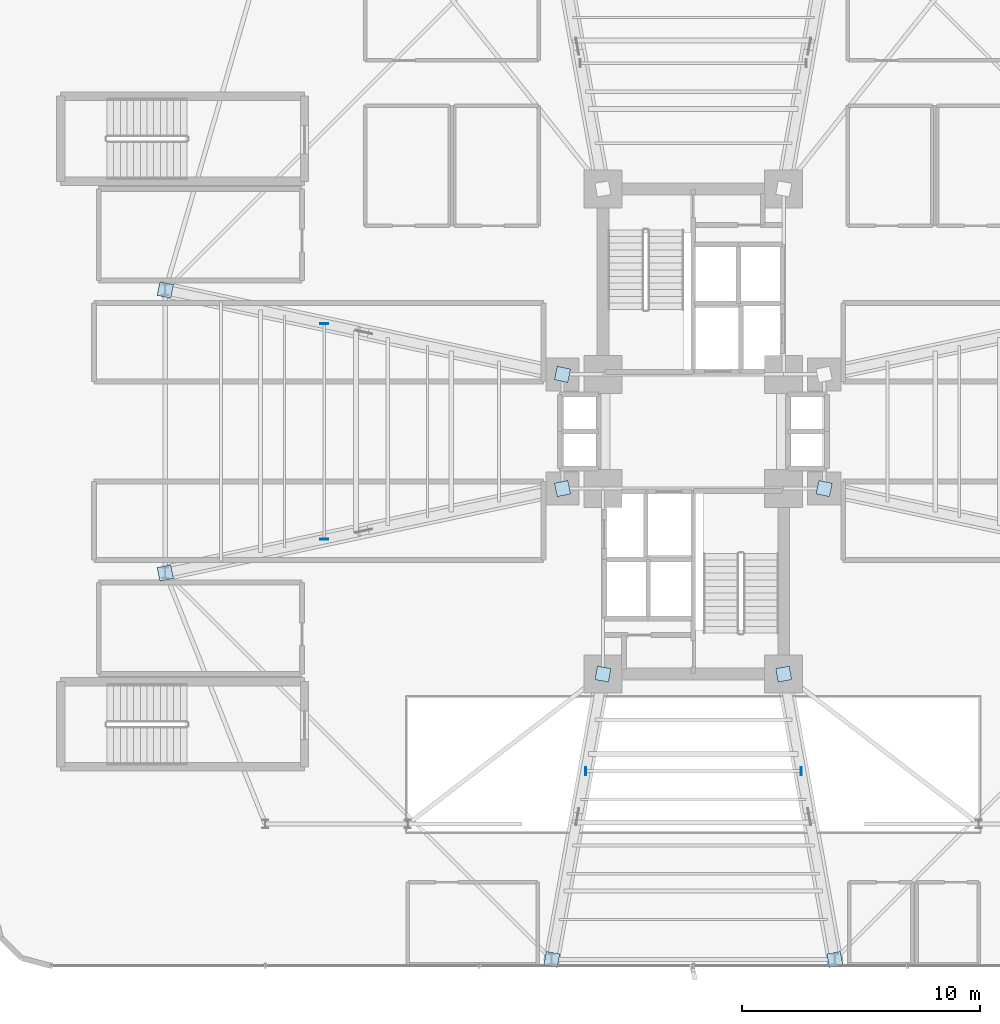
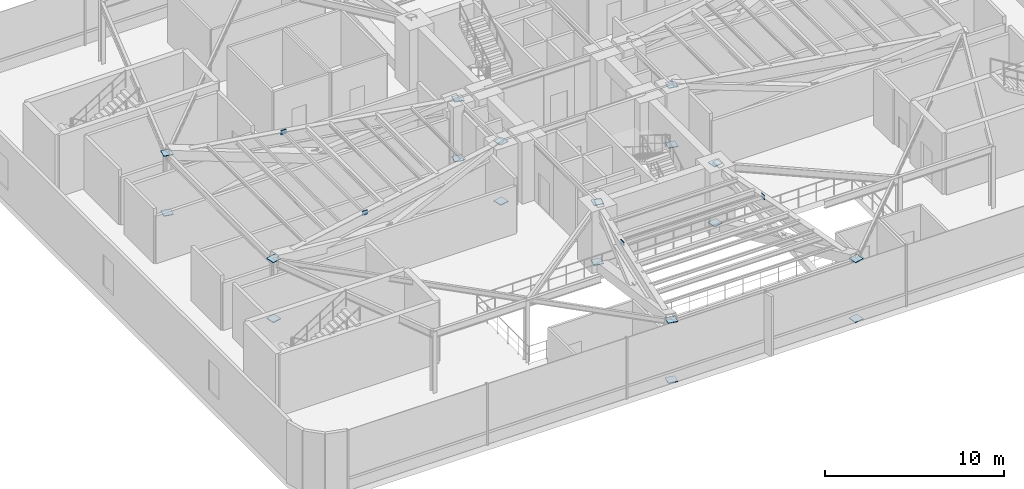
# One storey, part 22 of 32: 22 plates.
"""IFC4 building model written with IfcOpenShell, lengths in metres."""

from ifc_helpers import new_model, si_unit, direction, frame, origin, origin_2d, place, context, subcontext, project, spatial, rectangle, extrude, source, transform, mapped, material, type_object, element, save


model = new_model("IFC4")

# Units and contexts
model_context = context("Model", 3, precision=1e-05, world=origin(), true_north=direction((0.0, 1.0)))
body_context = subcontext(model_context, "Body", "Model", "MODEL_VIEW")
ifc_project = project(units=[si_unit("LENGTHUNIT", "METRE"), si_unit("AREAUNIT", "SQUARE_METRE"), si_unit("VOLUMEUNIT", "CUBIC_METRE"), si_unit("PLANEANGLEUNIT", "RADIAN"), si_unit("MASSUNIT", "GRAM", prefix="KILO")], contexts=[model_context])

# Site, building, storey
site_placement = place(None, origin())
site = spatial("IfcSite", under=ifc_project, at=site_placement, CompositionType="ELEMENT")
building_placement = place(site_placement, origin())
building = spatial("IfcBuilding", under=site, at=building_placement, Name="Sahyath Konkavel Grand Hotel", CompositionType="ELEMENT")
storey_placement = place(building_placement, frame((0.0, 0.0, 14.10009765625)))
storey = spatial("IfcBuildingStorey", under=building, at=storey_placement, Name="L03", CompositionType="ELEMENT", Elevation=14.10009765625)

# Plates
ifc_material = material(Name="Steel E450", Category="steel")
plate_type = type_object("IfcPlateType", Name="GUSSET-END-35", PredefinedType="USERDEFINED", material=ifc_material)
shared_shape_1 = source(origin(), body_context, "Body", "SweptSolid", [
    extrude(rectangle(XDim=0.580078125, YDim=0.580078125, at=origin_2d()), origin(), (0.0, 0.0, 1.0), 0.044921875),
])
for number, where, z_axis, x_axis, name in (
    (1, (5.5, -2.39990234375, 0.02734375), (0.0, 0.0, 1.0), (0.978143971841, -0.207928762682, 0.0), "L03 Ballroom Steel Transfer Truss EA Cast-In Embed Gusset Plate BL"),
    (2, (5.5, -2.39990234375, 4.107421875), (0.0, 0.0, 1.0), (0.978143971841, -0.207928762682, 0.0), "L03 Ballroom Steel Transfer Truss EA Cast-In Embed Gusset Plate TL"),
    (3, (-5.5, 2.39990234375, 0.02734375), (0.0, 0.0, 1.0), (-0.978143971841, 0.207928762682, 0.0), "L03 Ballroom Steel Transfer Truss WA Cast-In Embed Gusset Plate BL"),
    (4, (-5.5, 2.39990234375, 4.107421875), (0.0, 0.0, 1.0), (-0.978143971841, 0.207928762682, 0.0), "L03 Ballroom Steel Transfer Truss WA Cast-In Embed Gusset Plate TL"),
    (5, (-22.199951171875, 5.949951171875, 0.02734375), (0.0, 0.0, 1.0), (-0.978143971841, 0.207928762682, 0.0), "L03 Ballroom Steel Transfer Truss WA Cast-In Embed Gusset Plate BR"),
    (6, (-22.199951171875, 5.949951171875, 4.107421875), (0.0, 0.0, 1.0), (-0.978143971841, 0.207928762682, 0.0), "L03 Ballroom Steel Transfer Truss WA Cast-In Embed Gusset Plate TR"),
    (7, (-5.5, -2.39990234375, 0.02734375), (0.0, 0.0, 1.0), (-0.978143971841, -0.207928762682, 0.0), "L03 Ballroom Steel Transfer Truss WB Cast-In Embed Gusset Plate BL"),
    (8, (-5.5, -2.39990234375, 4.107421875), (0.0, 0.0, 1.0), (-0.978143971841, -0.207928762682, 0.0), "L03 Ballroom Steel Transfer Truss WB Cast-In Embed Gusset Plate TL"),
    (9, (-22.199951171875, -5.949951171875, 0.02734375), (0.0, 0.0, 1.0), (-0.978143971841, -0.207928762682, 0.0), "L03 Ballroom Steel Transfer Truss WB Cast-In Embed Gusset Plate BR"),
    (10, (-22.199951171875, -5.949951171875, 4.107421875), (0.0, 0.0, 1.0), (-0.978143971841, -0.207928762682, 0.0), "L03 Ballroom Steel Transfer Truss WB Cast-In Embed Gusset Plate TR"),
    (11, (-3.800048828125, -10.199951171875, 0.02734375), (0.0, 0.0, 1.0), (-0.176363239745, -0.984325153426, 0.0), "L03 Ballroom Steel Transfer Truss SA Cast-In Embed Gusset Plate BL"),
    (12, (-3.800048828125, -10.199951171875, 4.107421875), (0.0, 0.0, 1.0), (-0.176363239745, -0.984325153426, 0.0), "L03 Ballroom Steel Transfer Truss SA Cast-In Embed Gusset Plate TL"),
    (13, (-5.949951171875, -22.199951171875, 0.02734375), (0.0, 0.0, 1.0), (-0.176363239745, -0.984325153426, 0.0), "L03 Ballroom Steel Transfer Truss SA Cast-In Embed Gusset Plate BR"),
    (14, (-5.949951171875, -22.199951171875, 4.107421875), (0.0, 0.0, 1.0), (-0.176363239745, -0.984325153426, 0.0), "L03 Ballroom Steel Transfer Truss SA Cast-In Embed Gusset Plate TR"),
    (15, (3.800048828125, -10.199951171875, 0.02734375), (0.0, 0.0, 1.0), (0.176363239745, -0.984325153426, 0.0), "L03 Ballroom Steel Transfer Truss SB Cast-In Embed Gusset Plate BL"),
    (16, (3.800048828125, -10.199951171875, 4.107421875), (0.0, 0.0, 1.0), (0.176363239745, -0.984325153426, 0.0), "L03 Ballroom Steel Transfer Truss SB Cast-In Embed Gusset Plate TL"),
    (17, (5.949951171875, -22.199951171875, 0.02734375), (0.0, 0.0, 1.0), (0.176363239745, -0.984325153426, 0.0), "L03 Ballroom Steel Transfer Truss SB Cast-In Embed Gusset Plate BR"),
    (18, (5.949951171875, -22.199951171875, 4.107421875), (0.0, 0.0, 1.0), (0.176363239745, -0.984325153426, 0.0), "L03 Ballroom Steel Transfer Truss SB Cast-In Embed Gusset Plate TR"),
):
    element("IfcPlate", number, at=place(storey_placement, frame(where, z_axis=z_axis, x_axis=x_axis)), inside=storey, type_object=plate_type, Name=name, ObjectType="GUSSET_PLATE", PredefinedType="USERDEFINED", context=body_context, shape_type="MappedRepresentation", body=[
        mapped(shared_shape_1, transform((0.0, 0.0, 0.0), scale=1.0)),
    ])
shared_shape_2 = source(origin(), body_context, "Body", "SweptSolid", [
    extrude(rectangle(XDim=0.0400390625, YDim=0.340087890625, at=origin_2d()), origin(), (0.0, 0.0, 1.0), 0.300048828125),
])
for number, where, z_axis, x_axis, name in (
    (19, (-15.52001953125, 4.530029296875, 3.919921875), (0.0, 0.0, 1.0), (0.0, -1.0, 0.0), "L03 Sub-Beam W-4 End Cap A"),
    (20, (-15.52001953125, -4.530029296875, 3.919921875), (0.0, 0.0, 1.0), (0.0, -1.0, 0.0), "L03 Sub-Beam W-4 End Cap B"),
    (21, (-4.531005859375, -14.280029296875, 3.919921875), (0.0, 0.0, 1.0), (1.0, 0.0, 0.0), "L03 Sub-Beam S-2 End Cap A"),
    (22, (4.531005859375, -14.280029296875, 3.919921875), (0.0, 0.0, 1.0), (1.0, 0.0, 0.0), "L03 Sub-Beam S-2 End Cap B"),
):
    element("IfcPlate", number, at=place(storey_placement, frame(where, z_axis=z_axis, x_axis=x_axis)), inside=storey, type_object=plate_type, Name=name, ObjectType="GUSSET_PLATE", PredefinedType="USERDEFINED", context=body_context, shape_type="MappedRepresentation", body=[
        mapped(shared_shape_2, transform((0.0, 0.0, 0.0), scale=1.0)),
    ])

save(model, "model.ifc")
